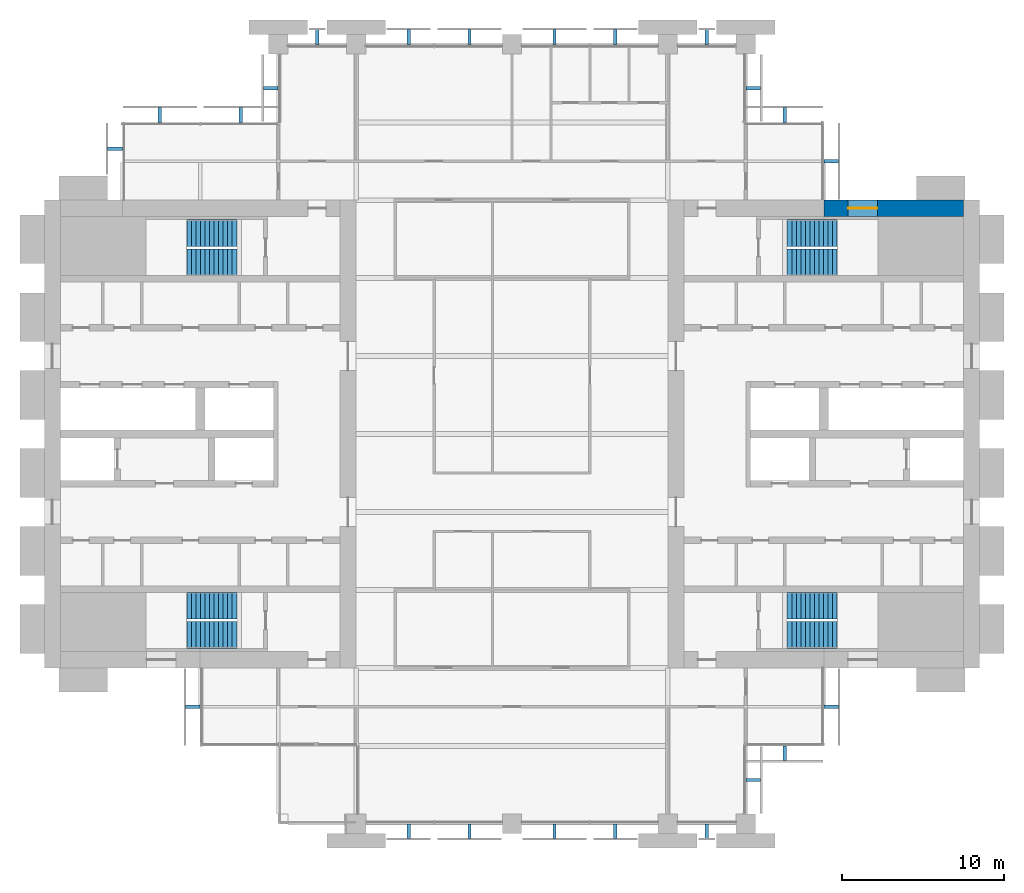
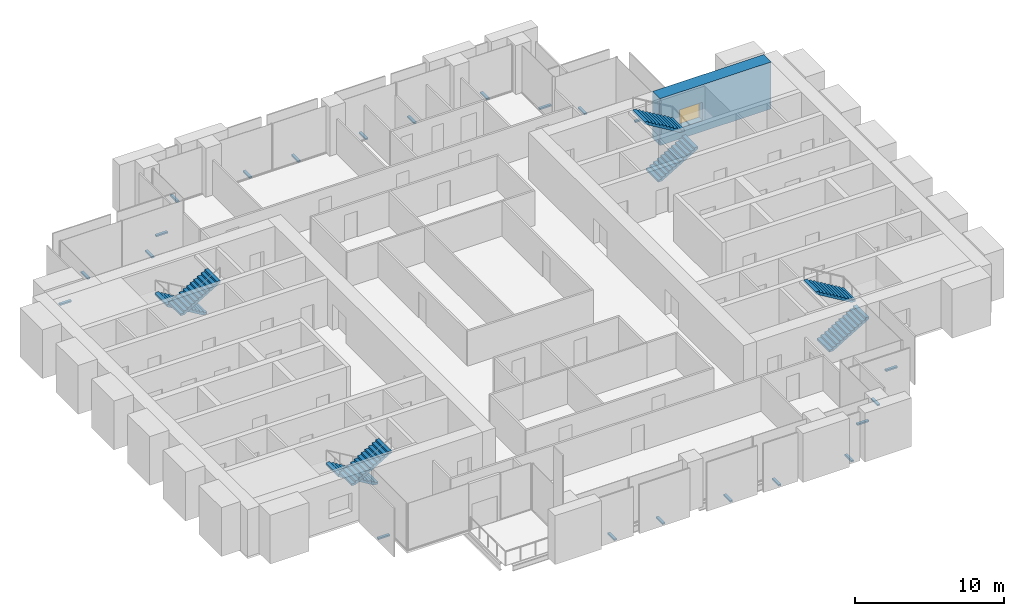
# One storey, part 13 of 14: 22 discrete accessories, 8 stair flights, 1 wall, 1 window, 1 opening, 4 elements without a shape of their own.
"""IFC4 building model written with IfcOpenShell, lengths in metres."""

from ifc_helpers import new_model, si_unit, direction, frame, frame_2d, origin, origin_2d, place, context, subcontext, project, spatial, polyline, rectangle, outline, extrude, material, layer, layer_set, type_object, element, fill, aggregate, save


model = new_model("IFC4")

# Units and contexts
model_context = context("Model", 3, precision=1e-05, world=origin(), true_north=direction((0.0, 1.0)))
body_context = subcontext(model_context, "Body", "Model", "MODEL_VIEW")
ifc_project = project(units=[si_unit("LENGTHUNIT", "METRE"), si_unit("AREAUNIT", "SQUARE_METRE"), si_unit("VOLUMEUNIT", "CUBIC_METRE"), si_unit("PLANEANGLEUNIT", "RADIAN"), si_unit("MASSUNIT", "GRAM", prefix="KILO")], contexts=[model_context])

# Site, building, storey
site_placement = place(None, origin())
site = spatial("IfcSite", under=ifc_project, at=site_placement, CompositionType="ELEMENT")
building_placement = place(site_placement, origin())
building = spatial("IfcBuilding", under=site, at=building_placement, Name="Baori Bourse Tower", CompositionType="ELEMENT")
storey_placement = place(building_placement, frame((0.0, 0.0, 148.10009765625)))
storey = spatial("IfcBuildingStorey", under=building, at=storey_placement, Name="L32", CompositionType="ELEMENT", Elevation=148.10009765625)

# Wall, opening, window
ifc_material_1 = material(Name="Concrete f'c 60 MPa", Category="concrete")
ifc_layer = layer(ifc_material_1, 1.0)
ifc_layer_set = layer_set([ifc_layer], Name="Core wall 1000 f'c 60")
wall_type = type_object("IfcWallType", Name="Core wall 1000 f'c 60", PredefinedType="SHEAR", material=ifc_layer_set)
wall_placement = place(storey_placement, frame((48.0, 37.89990234375, 0.0), z_axis=(0.0, 0.0, 1.0), x_axis=(1.0, 0.0, 0.0)))
wall = element("IfcWall", 1, at=wall_placement, inside=storey, type_object=wall_type, Name="Core wall E32", PredefinedType="SHEAR", context=body_context, shape_type="SweptSolid", body=[
    extrude(rectangle(XDim=8.60009765625, YDim=1.0, at=frame_2d((4.300048828125, 0.0))), origin(), (0.0, 0.0, 1.0), 3.83984375),
])
opening_placement = place(wall_placement, frame((1.5, 0.0, 0.89990234375)))
opening = element("IfcOpeningElement", 2, at=opening_placement, cuts=wall, Name="Opening L32-KW204", PredefinedType="OPENING", context=body_context, shape_type="SweptSolid", body=[
    extrude(rectangle(XDim=1.800048828125, YDim=1.5, at=frame_2d((0.89990234375, 0.75))), frame((0.0, 0.510009765625, 0.0), z_axis=(0.0, -1.0, 0.0), x_axis=(1.0, 0.0, 0.0)), (0.0, 0.0, 1.0), 1.02001953125),
])
ifc_material_2 = material(Name="Pale anodised aluminium", Category="aluminium")
window_type = type_object("IfcWindowType", Name="Stair window 1800 x 1500", PartitioningType="SINGLE_PANEL", PredefinedType="WINDOW", material=ifc_material_2)
window_placement = place(opening_placement, origin())
window = element("IfcWindow", 3, at=window_placement, inside=storey, type_object=window_type, Name="Stair window E L32 4", OverallHeight=1.5, OverallWidth=1.800048828125, PartitioningType="SINGLE_PANEL", PredefinedType="WINDOW", context=body_context, shape_type="SweptSolid", body=[
    extrude(rectangle(XDim=1.800048828125, YDim=1.5, at=frame_2d((0.89990234375, 0.75))), frame((0.0, 0.030029296875, 0.0), z_axis=(0.0, -1.0, 0.0), x_axis=(1.0, 0.0, 0.0)), (0.0, 0.0, 1.0), 0.06005859375),
])
fill(opening, window)

# Stair, stair flights
ifc_material_3 = material(Name="Concrete f'c 50 MPa", Category="concrete")
stair_type = type_object("IfcStairType", Name="Core stair", PredefinedType="HALF_TURN_STAIR", material=ifc_material_3)
stair_1_placement = place(storey_placement, origin())
stair_1 = element("IfcStair", 4, at=stair_1_placement, inside=storey, type_object=stair_type, Name="L32 Stair WA", PredefinedType="HALF_TURN_STAIR")
ifc_material_4 = material(Name="Concrete f'c 50 MPa", Category="concrete")
stair_flight_type = type_object("IfcStairFlightType", Name="Core stair flight", PredefinedType="STRAIGHT", material=ifc_material_4)
stair_flight_1_placement = place(storey_placement, frame((11.85009765625, 13.425048828125, 0.0), z_axis=(0.0, 0.0, 1.0), x_axis=(-1.0, 0.0, 0.0)))
stair_flight_1 = element("IfcStairFlight", 5, at=stair_flight_1_placement, type_object=stair_flight_type, Name="ST1 flight 1", NumberOfRisers=12, NumberOfTreads=11, PredefinedType="STRAIGHT", RiserHeight=0.166666667, TreadLength=0.28, context=body_context, shape_type="SweptSolid", body=[
    extrude(outline(polyline([(0.0, 0.0), (0.0, 0.166748046875), (0.280029296875, 0.166748046875), (0.280029296875, 0.333251953125), (0.56005859375, 0.333251953125), (0.56005859375, 0.5), (0.840087890625, 0.5), (0.840087890625, 0.666748046875), (1.1201171875, 0.666748046875), (1.1201171875, 0.833251953125), (1.39990234375, 0.833251953125), (1.39990234375, 1.0), (1.679931640625, 1.0), (1.679931640625, 1.166748046875), (1.9599609375, 1.166748046875), (1.9599609375, 1.333251953125), (2.239990234375, 1.333251953125), (2.239990234375, 1.5), (2.52001953125, 1.5), (2.52001953125, 1.666748046875), (2.800048828125, 1.666748046875), (2.800048828125, 1.833251953125), (3.080078125, 1.833251953125), (3.080078125, 2.0), (3.080078125, 1.658935546875), (0.29296875, 0.0), (0.0, 0.0)])), frame((0.0, 0.824951171875, 0.0), z_axis=(0.0, -1.0, 0.0), x_axis=(1.0, 0.0, 0.0)), (0.0, 0.0, 1.0), 1.64990234375),
])
stair_flight_2_placement = place(storey_placement, frame((8.77001953125, 11.625, 2.0), z_axis=(0.0, 0.0, 1.0), x_axis=(1.0, 0.0, 0.0)))
stair_flight_2 = element("IfcStairFlight", 6, at=stair_flight_2_placement, type_object=stair_flight_type, Name="ST1 flight 2", NumberOfRisers=12, NumberOfTreads=11, PredefinedType="STRAIGHT", RiserHeight=0.166666667, TreadLength=0.28, context=body_context, shape_type="SweptSolid", body=[
    extrude(outline(polyline([(0.0, 0.0), (0.0, 0.166748046875), (0.280029296875, 0.166748046875), (0.280029296875, 0.333251953125), (0.56005859375, 0.333251953125), (0.56005859375, 0.5), (0.840087890625, 0.5), (0.840087890625, 0.666748046875), (1.1201171875, 0.666748046875), (1.1201171875, 0.833251953125), (1.39990234375, 0.833251953125), (1.39990234375, 1.0), (1.679931640625, 1.0), (1.679931640625, 1.166748046875), (1.9599609375, 1.166748046875), (1.9599609375, 1.333251953125), (2.239990234375, 1.333251953125), (2.239990234375, 1.5), (2.52001953125, 1.5), (2.52001953125, 1.666748046875), (2.800048828125, 1.666748046875), (2.800048828125, 1.833251953125), (3.080078125, 1.833251953125), (3.080078125, 2.0), (3.080078125, 1.658935546875), (0.29296875, 0.0), (0.0, 0.0)])), frame((0.0, 0.824951171875, 0.0), z_axis=(0.0, -1.0, 0.0), x_axis=(1.0, 0.0, 0.0)), (0.0, 0.0, 1.0), 1.64990234375),
])
aggregate(stair_1, [stair_flight_1, stair_flight_2])

stair_2_placement = place(storey_placement, origin())
stair_2 = element("IfcStair", 7, at=stair_2_placement, inside=storey, type_object=stair_type, Name="L32 Stair WB", PredefinedType="HALF_TURN_STAIR")
stair_flight_3_placement = place(storey_placement, frame((11.85009765625, 36.375, 0.0), z_axis=(0.0, 0.0, 1.0), x_axis=(-1.0, 0.0, 0.0)))
stair_flight_3 = element("IfcStairFlight", 8, at=stair_flight_3_placement, type_object=stair_flight_type, Name="ST2 flight 1", NumberOfRisers=12, NumberOfTreads=11, PredefinedType="STRAIGHT", RiserHeight=0.166666667, TreadLength=0.28, context=body_context, shape_type="SweptSolid", body=[
    extrude(outline(polyline([(0.0, 0.0), (0.0, 0.166748046875), (0.280029296875, 0.166748046875), (0.280029296875, 0.333251953125), (0.56005859375, 0.333251953125), (0.56005859375, 0.5), (0.840087890625, 0.5), (0.840087890625, 0.666748046875), (1.1201171875, 0.666748046875), (1.1201171875, 0.833251953125), (1.39990234375, 0.833251953125), (1.39990234375, 1.0), (1.679931640625, 1.0), (1.679931640625, 1.166748046875), (1.9599609375, 1.166748046875), (1.9599609375, 1.333251953125), (2.239990234375, 1.333251953125), (2.239990234375, 1.5), (2.52001953125, 1.5), (2.52001953125, 1.666748046875), (2.800048828125, 1.666748046875), (2.800048828125, 1.833251953125), (3.080078125, 1.833251953125), (3.080078125, 2.0), (3.080078125, 1.658935546875), (0.29296875, 0.0), (0.0, 0.0)])), frame((0.0, 0.824951171875, 0.0), z_axis=(0.0, -1.0, 0.0), x_axis=(1.0, 0.0, 0.0)), (0.0, 0.0, 1.0), 1.64990234375),
])
stair_flight_4_placement = place(storey_placement, frame((8.77001953125, 34.574951171875, 2.0), z_axis=(0.0, 0.0, 1.0), x_axis=(1.0, 0.0, 0.0)))
stair_flight_4 = element("IfcStairFlight", 9, at=stair_flight_4_placement, type_object=stair_flight_type, Name="ST2 flight 2", NumberOfRisers=12, NumberOfTreads=11, PredefinedType="STRAIGHT", RiserHeight=0.166666667, TreadLength=0.28, context=body_context, shape_type="SweptSolid", body=[
    extrude(outline(polyline([(0.0, 0.0), (0.0, 0.166748046875), (0.280029296875, 0.166748046875), (0.280029296875, 0.333251953125), (0.56005859375, 0.333251953125), (0.56005859375, 0.5), (0.840087890625, 0.5), (0.840087890625, 0.666748046875), (1.1201171875, 0.666748046875), (1.1201171875, 0.833251953125), (1.39990234375, 0.833251953125), (1.39990234375, 1.0), (1.679931640625, 1.0), (1.679931640625, 1.166748046875), (1.9599609375, 1.166748046875), (1.9599609375, 1.333251953125), (2.239990234375, 1.333251953125), (2.239990234375, 1.5), (2.52001953125, 1.5), (2.52001953125, 1.666748046875), (2.800048828125, 1.666748046875), (2.800048828125, 1.833251953125), (3.080078125, 1.833251953125), (3.080078125, 2.0), (3.080078125, 1.658935546875), (0.29296875, 0.0), (0.0, 0.0)])), frame((0.0, 0.824951171875, 0.0), z_axis=(0.0, -1.0, 0.0), x_axis=(1.0, 0.0, 0.0)), (0.0, 0.0, 1.0), 1.64990234375),
])
aggregate(stair_2, [stair_flight_3, stair_flight_4])

stair_3_placement = place(storey_placement, origin())
stair_3 = element("IfcStair", 10, at=stair_3_placement, inside=storey, type_object=stair_type, Name="L32 Stair EA", PredefinedType="HALF_TURN_STAIR")
stair_flight_5_placement = place(storey_placement, frame((45.75, 11.625, 0.0), z_axis=(0.0, 0.0, 1.0), x_axis=(1.0, 0.0, 0.0)))
stair_flight_5 = element("IfcStairFlight", 11, at=stair_flight_5_placement, type_object=stair_flight_type, Name="ST3 flight 1", NumberOfRisers=12, NumberOfTreads=11, PredefinedType="STRAIGHT", RiserHeight=0.166666667, TreadLength=0.28, context=body_context, shape_type="SweptSolid", body=[
    extrude(outline(polyline([(0.0, 0.0), (0.0, 0.166748046875), (0.280029296875, 0.166748046875), (0.280029296875, 0.333251953125), (0.56005859375, 0.333251953125), (0.56005859375, 0.5), (0.840087890625, 0.5), (0.840087890625, 0.666748046875), (1.1201171875, 0.666748046875), (1.1201171875, 0.833251953125), (1.39990234375, 0.833251953125), (1.39990234375, 1.0), (1.679931640625, 1.0), (1.679931640625, 1.166748046875), (1.9599609375, 1.166748046875), (1.9599609375, 1.333251953125), (2.239990234375, 1.333251953125), (2.239990234375, 1.5), (2.52001953125, 1.5), (2.52001953125, 1.666748046875), (2.800048828125, 1.666748046875), (2.800048828125, 1.833251953125), (3.080078125, 1.833251953125), (3.080078125, 2.0), (3.080078125, 1.658935546875), (0.29296875, 0.0), (0.0, 0.0)])), frame((0.0, 0.824951171875, 0.0), z_axis=(0.0, -1.0, 0.0), x_axis=(1.0, 0.0, 0.0)), (0.0, 0.0, 1.0), 1.64990234375),
])
stair_flight_6_placement = place(storey_placement, frame((48.830078125, 13.425048828125, 2.0), z_axis=(0.0, 0.0, 1.0), x_axis=(-1.0, 0.0, 0.0)))
stair_flight_6 = element("IfcStairFlight", 12, at=stair_flight_6_placement, type_object=stair_flight_type, Name="ST3 flight 2", NumberOfRisers=12, NumberOfTreads=11, PredefinedType="STRAIGHT", RiserHeight=0.166666667, TreadLength=0.28, context=body_context, shape_type="SweptSolid", body=[
    extrude(outline(polyline([(0.0, 0.0), (0.0, 0.166748046875), (0.280029296875, 0.166748046875), (0.280029296875, 0.333251953125), (0.56005859375, 0.333251953125), (0.56005859375, 0.5), (0.840087890625, 0.5), (0.840087890625, 0.666748046875), (1.1201171875, 0.666748046875), (1.1201171875, 0.833251953125), (1.39990234375, 0.833251953125), (1.39990234375, 1.0), (1.679931640625, 1.0), (1.679931640625, 1.166748046875), (1.9599609375, 1.166748046875), (1.9599609375, 1.333251953125), (2.239990234375, 1.333251953125), (2.239990234375, 1.5), (2.52001953125, 1.5), (2.52001953125, 1.666748046875), (2.800048828125, 1.666748046875), (2.800048828125, 1.833251953125), (3.080078125, 1.833251953125), (3.080078125, 2.0), (3.080078125, 1.658935546875), (0.29296875, 0.0), (0.0, 0.0)])), frame((0.0, 0.824951171875, 0.0), z_axis=(0.0, -1.0, 0.0), x_axis=(1.0, 0.0, 0.0)), (0.0, 0.0, 1.0), 1.64990234375),
])
aggregate(stair_3, [stair_flight_5, stair_flight_6])

stair_4_placement = place(storey_placement, origin())
stair_4 = element("IfcStair", 13, at=stair_4_placement, inside=storey, type_object=stair_type, Name="L32 Stair EB", PredefinedType="HALF_TURN_STAIR")
stair_flight_7_placement = place(storey_placement, frame((45.75, 34.574951171875, 0.0), z_axis=(0.0, 0.0, 1.0), x_axis=(1.0, 0.0, 0.0)))
stair_flight_7 = element("IfcStairFlight", 14, at=stair_flight_7_placement, type_object=stair_flight_type, Name="ST4 flight 1", NumberOfRisers=12, NumberOfTreads=11, PredefinedType="STRAIGHT", RiserHeight=0.166666667, TreadLength=0.28, context=body_context, shape_type="SweptSolid", body=[
    extrude(outline(polyline([(0.0, 0.0), (0.0, 0.166748046875), (0.280029296875, 0.166748046875), (0.280029296875, 0.333251953125), (0.56005859375, 0.333251953125), (0.56005859375, 0.5), (0.840087890625, 0.5), (0.840087890625, 0.666748046875), (1.1201171875, 0.666748046875), (1.1201171875, 0.833251953125), (1.39990234375, 0.833251953125), (1.39990234375, 1.0), (1.679931640625, 1.0), (1.679931640625, 1.166748046875), (1.9599609375, 1.166748046875), (1.9599609375, 1.333251953125), (2.239990234375, 1.333251953125), (2.239990234375, 1.5), (2.52001953125, 1.5), (2.52001953125, 1.666748046875), (2.800048828125, 1.666748046875), (2.800048828125, 1.833251953125), (3.080078125, 1.833251953125), (3.080078125, 2.0), (3.080078125, 1.658935546875), (0.29296875, 0.0), (0.0, 0.0)])), frame((0.0, 0.824951171875, 0.0), z_axis=(0.0, -1.0, 0.0), x_axis=(1.0, 0.0, 0.0)), (0.0, 0.0, 1.0), 1.64990234375),
])
stair_flight_8_placement = place(storey_placement, frame((48.830078125, 36.375, 2.0), z_axis=(0.0, 0.0, 1.0), x_axis=(-1.0, 0.0, 0.0)))
stair_flight_8 = element("IfcStairFlight", 15, at=stair_flight_8_placement, type_object=stair_flight_type, Name="ST4 flight 2", NumberOfRisers=12, NumberOfTreads=11, PredefinedType="STRAIGHT", RiserHeight=0.166666667, TreadLength=0.28, context=body_context, shape_type="SweptSolid", body=[
    extrude(outline(polyline([(0.0, 0.0), (0.0, 0.166748046875), (0.280029296875, 0.166748046875), (0.280029296875, 0.333251953125), (0.56005859375, 0.333251953125), (0.56005859375, 0.5), (0.840087890625, 0.5), (0.840087890625, 0.666748046875), (1.1201171875, 0.666748046875), (1.1201171875, 0.833251953125), (1.39990234375, 0.833251953125), (1.39990234375, 1.0), (1.679931640625, 1.0), (1.679931640625, 1.166748046875), (1.9599609375, 1.166748046875), (1.9599609375, 1.333251953125), (2.239990234375, 1.333251953125), (2.239990234375, 1.5), (2.52001953125, 1.5), (2.52001953125, 1.666748046875), (2.800048828125, 1.666748046875), (2.800048828125, 1.833251953125), (3.080078125, 1.833251953125), (3.080078125, 2.0), (3.080078125, 1.658935546875), (0.29296875, 0.0), (0.0, 0.0)])), frame((0.0, 0.824951171875, 0.0), z_axis=(0.0, -1.0, 0.0), x_axis=(1.0, 0.0, 0.0)), (0.0, 0.0, 1.0), 1.64990234375),
])
aggregate(stair_4, [stair_flight_7, stair_flight_8])

# Discrete accessories
ifc_material_5 = material(Name="Pale anodised aluminium", Category="aluminium")
discrete_accessory_type = type_object("IfcDiscreteAccessoryType", Name="OS2 Outer skin bracket", PredefinedType="BRACKET", material=ifc_material_5)
for number, where, z_axis, x_axis, name in (
    (16, (48.449951171875, 40.800048828125, -0.14404296875), (0.0, 0.0, 1.0), (0.0, 1.0, 0.0), "Outer skin bracket L32 1"),
    (17, (45.60009765625, 43.64990234375, -0.14404296875), (0.0, 0.0, 1.0), (-1.0, 0.0, 0.0), "Outer skin bracket L32 2"),
    (18, (43.64990234375, 45.300048828125, -0.14404296875), (0.0, 0.0, 1.0), (0.0, 1.0, 0.0), "Outer skin bracket L32 3"),
    (19, (40.800048828125, 48.449951171875, -0.14404296875), (0.0, 0.0, 1.0), (-1.0, 0.0, 0.0), "Outer skin bracket L32 4"),
    (20, (35.16259765625, 48.449951171875, -0.14404296875), (0.0, 0.0, 1.0), (-1.0, 0.0, 0.0), "Outer skin bracket L32 5"),
    (21, (31.41259765625, 48.449951171875, -0.14404296875), (0.0, 0.0, 1.0), (-1.0, 0.0, 0.0), "Outer skin bracket L32 6"),
    (22, (26.1875, 48.449951171875, -0.14404296875), (0.0, 0.0, 1.0), (-1.0, 0.0, 0.0), "Outer skin bracket L32 7"),
    (23, (22.4375, 48.449951171875, -0.14404296875), (0.0, 0.0, 1.0), (-1.0, 0.0, 0.0), "Outer skin bracket L32 8"),
    (24, (16.800048828125, 48.449951171875, -0.14404296875), (0.0, 0.0, 1.0), (-1.0, 0.0, 0.0), "Outer skin bracket L32 9"),
    (25, (13.949951171875, 45.300048828125, -0.14404296875), (0.0, 0.0, 1.0), (0.0, -1.0, 0.0), "Outer skin bracket L32 10"),
    (26, (12.08740234375, 43.64990234375, -0.14404296875), (0.0, 0.0, 1.0), (-1.0, 0.0, 0.0), "Outer skin bracket L32 11"),
    (27, (7.112548828125, 43.64990234375, -0.14404296875), (0.0, 0.0, 1.0), (-1.0, 0.0, 0.0), "Outer skin bracket L32 12"),
    (28, (4.35009765625, 41.574951171875, -0.14404296875), (0.0, 0.0, 1.0), (0.0, -1.0, 0.0), "Outer skin bracket L32 13"),
    (29, (9.14990234375, 7.199951171875, -0.14404296875), (0.0, 0.0, 1.0), (0.0, -1.0, 0.0), "Outer skin bracket L32 14"),
    (30, (22.4375, -0.449951171875, -0.14404296875), (0.0, 0.0, 1.0), (1.0, 0.0, 0.0), "Outer skin bracket L32 15"),
    (31, (26.1875, -0.449951171875, -0.14404296875), (0.0, 0.0, 1.0), (1.0, 0.0, 0.0), "Outer skin bracket L32 16"),
    (32, (31.41259765625, -0.449951171875, -0.14404296875), (0.0, 0.0, 1.0), (1.0, 0.0, 0.0), "Outer skin bracket L32 17"),
    (33, (35.16259765625, -0.449951171875, -0.14404296875), (0.0, 0.0, 1.0), (1.0, 0.0, 0.0), "Outer skin bracket L32 18"),
    (34, (40.800048828125, -0.449951171875, -0.14404296875), (0.0, 0.0, 1.0), (1.0, 0.0, 0.0), "Outer skin bracket L32 19"),
    (35, (43.64990234375, 2.699951171875, -0.14404296875), (0.0, 0.0, 1.0), (0.0, 1.0, 0.0), "Outer skin bracket L32 20"),
    (36, (45.60009765625, 4.35009765625, -0.14404296875), (0.0, 0.0, 1.0), (1.0, 0.0, 0.0), "Outer skin bracket L32 21"),
    (37, (48.449951171875, 7.199951171875, -0.14404296875), (0.0, 0.0, 1.0), (0.0, 1.0, 0.0), "Outer skin bracket L32 22"),
):
    element("IfcDiscreteAccessory", number, at=place(storey_placement, frame(where, z_axis=z_axis, x_axis=x_axis)), inside=storey, type_object=discrete_accessory_type, Name=name, PredefinedType="BRACKET", context=body_context, shape_type="SweptSolid", body=[
        extrude(rectangle(XDim=0.199951171875, YDim=0.89990234375, at=origin_2d()), origin(), (0.0, 0.0, 1.0), 0.1279296875),
    ])

save(model, "model.ifc")
